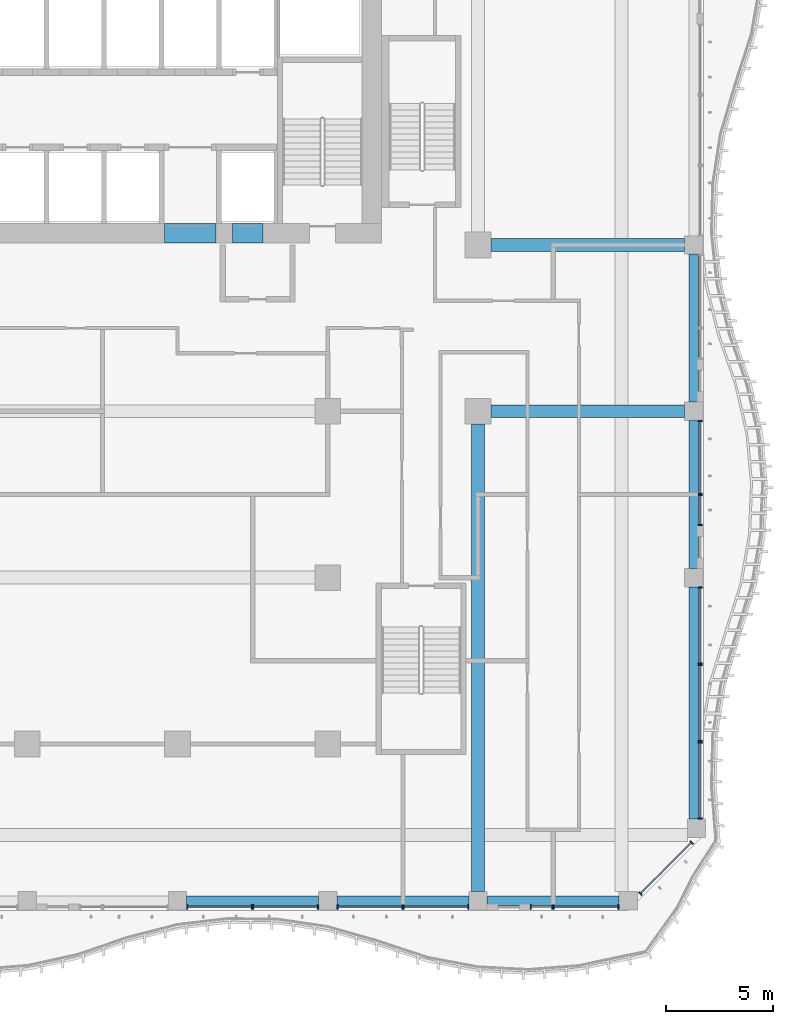
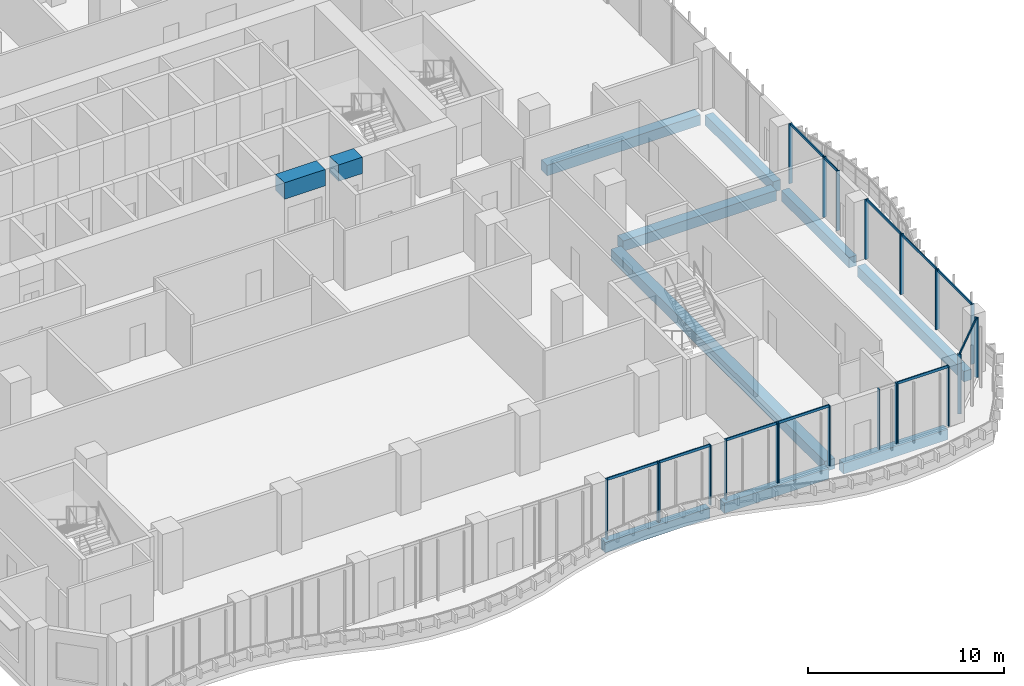
# One storey, part 4 of 25: 35 members, 11 beams, 12 elements without a shape of their own.
"""IFC4 building model written with IfcOpenShell, lengths in metres."""

from ifc_helpers import new_model, si_unit, direction, frame, origin, origin_2d, place, context, subcontext, project, spatial, rectangle, extrude, source, transform, mapped, material, material_profile, profile_set, type_object, element, aggregate, save


model = new_model("IFC4")

# Units and contexts
model_context = context("Model", 3, precision=1e-05, world=origin(), true_north=direction((0.0, 1.0)))
body_context = subcontext(model_context, "Body", "Model", "MODEL_VIEW")
ifc_project = project(units=[si_unit("LENGTHUNIT", "METRE"), si_unit("AREAUNIT", "SQUARE_METRE"), si_unit("VOLUMEUNIT", "CUBIC_METRE"), si_unit("PLANEANGLEUNIT", "RADIAN"), si_unit("MASSUNIT", "GRAM", prefix="KILO")], contexts=[model_context])

# Site, building, storey
site_placement = place(None, origin())
site = spatial("IfcSite", under=ifc_project, at=site_placement, CompositionType="ELEMENT")
building_placement = place(site_placement, origin())
building = spatial("IfcBuilding", under=site, at=building_placement, Name="Kilnfold Tower and Market Hall", CompositionType="ELEMENT")
storey_placement = place(building_placement, frame((0.0, 0.0, 120.60009765625)))
storey = spatial("IfcBuildingStorey", under=building, at=storey_placement, Name="L28", CompositionType="ELEMENT", Elevation=120.60009765625)

# Beams
ifc_material_1 = material(Name="Concrete C70", Category="concrete")
ifc_material_profile_1 = material_profile(ifc_material_1, rectangle(XDim=0.89990234375, YDim=1.02001953125, at=origin_2d()), Name="RC 900x1020")
ifc_profile_set_1 = profile_set([ifc_material_profile_1], Name="Concrete C70")
beam_type_1 = type_object("IfcBeamType", Name="COUPLING BEAM 900X1020 C70", PredefinedType="BEAM", material=ifc_profile_set_1)
shared_shape_1 = source(origin(), body_context, "Body", "SweptSolid", [
    extrude(rectangle(XDim=0.89990234375, YDim=1.02001953125, at=origin_2d()), origin(), (0.0, 0.0, 1.0), 1.39990234375),
])
beam_1_placement = place(storey_placement, frame((11.070068359375, 8.550048828125, 3.2099609375), z_axis=(1.0, 0.0, 0.0), x_axis=(0.0, 1.0, 0.0)))
element("IfcBeam", 1, at=beam_1_placement, inside=storey, type_object=beam_type_1, Name="Coupling beam CB1020-70-CORE.43", PredefinedType="BEAM", context=body_context, shape_type="MappedRepresentation", body=[
    mapped(shared_shape_1, transform((0.0, 0.0, 0.0))),
])
shared_shape_2 = source(origin(), body_context, "Body", "SweptSolid", [
    extrude(rectangle(XDim=0.89990234375, YDim=1.02001953125, at=origin_2d()), origin(), (0.0, 0.0, 1.0), 2.400146484375),
])
beam_2_placement = place(storey_placement, frame((7.889892578125, 8.550048828125, 3.2099609375), z_axis=(1.0, 0.0, 0.0), x_axis=(0.0, 1.0, 0.0)))
element("IfcBeam", 2, at=beam_2_placement, inside=storey, type_object=beam_type_1, Name="Coupling beam CB1020-70-CORE.42", PredefinedType="BEAM", context=body_context, shape_type="MappedRepresentation", body=[
    mapped(shared_shape_2, transform((0.0, 0.0, 0.0))),
])
ifc_material_2 = material(Name="Concrete C45", Category="concrete")
ifc_material_profile_2 = material_profile(ifc_material_2, rectangle(XDim=0.449951171875, YDim=0.64990234375, at=origin_2d()), Name="RC 450x650")
ifc_profile_set_2 = profile_set([ifc_material_profile_2], Name="Concrete C45")
beam_type_2 = type_object("IfcBeamType", Name="EDGE BEAM 450X650 C45", PredefinedType="BEAM", material=ifc_profile_set_2)
shared_shape_3 = source(origin(), body_context, "Body", "SweptSolid", [
    extrude(rectangle(XDim=0.449951171875, YDim=0.64990234375, at=origin_2d()), origin(), (0.0, 0.0, 1.0), 6.14990234375),
])
for number, where, z_axis, x_axis, name in (
    (3, (8.925048828125, -22.550048828125, -0.60498046875), (1.0, 0.0, 0.0), (0.0, 1.0, 0.0), "Beam EB650-B3.56"),
    (4, (15.925048828125, -22.550048828125, -0.60498046875), (1.0, 0.0, 0.0), (0.0, 1.0, 0.0), "Beam EB650-B3.57"),
    (5, (22.925048828125, -22.550048828125, -0.60498046875), (1.0, 0.0, 0.0), (0.0, 1.0, 0.0), "Beam EB650-B3.58"),
):
    element("IfcBeam", number, at=place(storey_placement, frame(where, z_axis=z_axis, x_axis=x_axis)), inside=storey, type_object=beam_type_2, Name=name, PredefinedType="BEAM", context=body_context, shape_type="MappedRepresentation", body=[
        mapped(shared_shape_3, transform((0.0, 0.0, 0.0))),
    ])
ifc_material_3 = material(Name="Concrete C45", Category="concrete")
ifc_material_profile_3 = material_profile(ifc_material_3, rectangle(XDim=0.60009765625, YDim=0.64990234375, at=origin_2d()), Name="RC 600x650")
ifc_profile_set_3 = profile_set([ifc_material_profile_3], Name="Concrete C45")
beam_type_3 = type_object("IfcBeamType", Name="BEAM 600X650 C45", PredefinedType="BEAM", material=ifc_profile_set_3)
shared_shape_4 = source(origin(), body_context, "Body", "SweptSolid", [
    extrude(rectangle(XDim=0.60009765625, YDim=0.64990234375, at=origin_2d()), origin(), (0.0, 0.0, 1.0), 9.02490234375),
])
for number, where, z_axis, x_axis, name in (
    (6, (23.10009765625, 0.25, -0.60498046875), (1.0, 0.0, 0.0), (0.0, 1.0, 0.0), "Beam BB650-B3.63"),
    (7, (23.10009765625, 8.0, -0.60498046875), (1.0, 0.0, 0.0), (0.0, 1.0, 0.0), "Beam BB650-B3.64"),
):
    element("IfcBeam", number, at=place(storey_placement, frame(where, z_axis=z_axis, x_axis=x_axis)), inside=storey, type_object=beam_type_3, Name=name, PredefinedType="BEAM", context=body_context, shape_type="MappedRepresentation", body=[
        mapped(shared_shape_4, transform((0.0, 0.0, 0.0))),
    ])
shared_shape_5 = source(origin(), body_context, "Body", "SweptSolid", [
    extrude(rectangle(XDim=0.449951171875, YDim=0.64990234375, at=origin_2d()), origin(), (0.0, 0.0, 1.0), 6.89990234375),
])
for number, where, z_axis, x_axis, name in (
    (8, (32.550048828125, -7.074951171875, -0.60498046875), (0.0, 1.0, 0.0), (-1.0, 0.0, 0.0), "Beam EB650-B3.84"),
    (9, (32.550048828125, 0.675048828125, -0.60498046875), (0.0, 1.0, 0.0), (-1.0, 0.0, 0.0), "Beam EB650-B3.85"),
):
    element("IfcBeam", number, at=place(storey_placement, frame(where, z_axis=z_axis, x_axis=x_axis)), inside=storey, type_object=beam_type_2, Name=name, PredefinedType="BEAM", context=body_context, shape_type="MappedRepresentation", body=[
        mapped(shared_shape_5, transform((0.0, 0.0, 0.0))),
    ])
shared_shape_6 = source(origin(), body_context, "Body", "SweptSolid", [
    extrude(rectangle(XDim=0.60009765625, YDim=0.64990234375, at=origin_2d()), origin(), (0.0, 0.0, 1.0), 21.77490234375),
])
beam_3_placement = place(storey_placement, frame((22.5, -22.125, -0.60498046875), z_axis=(0.0, 1.0, 0.0), x_axis=(-1.0, 0.0, 0.0)))
element("IfcBeam", 10, at=beam_3_placement, inside=storey, type_object=beam_type_3, Name="Beam BB650-B3.80", PredefinedType="BEAM", context=body_context, shape_type="MappedRepresentation", body=[
    mapped(shared_shape_6, transform((0.0, 0.0, 0.0))),
])
shared_shape_7 = source(origin(), body_context, "Body", "SweptSolid", [
    extrude(rectangle(XDim=0.449951171875, YDim=0.64990234375, at=origin_2d()), origin(), (0.0, 0.0, 1.0), 10.831787109375),
])
beam_4_placement = place(storey_placement, frame((32.550048828125, -18.7568359375, -0.60498046875), z_axis=(0.0, 1.0, 0.0), x_axis=(-1.0, 0.0, 0.0)))
element("IfcBeam", 11, at=beam_4_placement, inside=storey, type_object=beam_type_2, Name="Beam EB650-B3.83", PredefinedType="BEAM", context=body_context, shape_type="MappedRepresentation", body=[
    mapped(shared_shape_7, transform((0.0, 0.0, 0.0))),
])

# Curtain wall, members
ifc_material_4 = material(Name="Aluminium and double glazing", Category="aluminium")
curtain_wall_type = type_object("IfcCurtainWallType", Name="CW OF2 VALLEY GLAZING", PredefinedType="NOTDEFINED", material=ifc_material_4)
curtain_wall_1_placement = place(storey_placement, origin())
curtain_wall_1 = element("IfcCurtainWall", 12, at=curtain_wall_1_placement, inside=storey, type_object=curtain_wall_type, Name="Curtain wall CW2 L28 S", PredefinedType="NOTDEFINED")
ifc_material_5 = material(Name="Aluminium", Category="aluminium")
ifc_material_profile_4 = material_profile(ifc_material_5, rectangle(XDim=0.06005859375, YDim=0.199951171875, at=origin_2d()), Name="MULLION 60x200")
ifc_profile_set_4 = profile_set([ifc_material_profile_4], Name="Aluminium")
member_type_1 = type_object("IfcMemberType", Name="MULLION 60X200", PredefinedType="MULLION", material=ifc_profile_set_4)
shared_shape_8 = source(origin(), body_context, "Body", "SweptSolid", [
    extrude(rectangle(XDim=0.06005859375, YDim=0.199951171875, at=origin_2d()), origin(), (0.0, 0.0, 1.0), 3.719970703125),
])
member_1_placement = place(storey_placement, frame((8.955078125, -22.85009765625, 0.0), z_axis=(0.0, 0.0, 1.0), x_axis=(1.0, 0.0, 0.0)))
member_1 = element("IfcMember", 13, at=member_1_placement, type_object=member_type_1, Name="CW2 mullion 1", PredefinedType="MULLION", context=body_context, shape_type="MappedRepresentation", body=[
    mapped(shared_shape_8, transform((0.0, 0.0, 0.0))),
])
member_2_placement = place(storey_placement, frame((11.969970703125, -22.85009765625, 0.0), z_axis=(0.0, 0.0, 1.0), x_axis=(1.0, 0.0, 0.0)))
member_2 = element("IfcMember", 14, at=member_2_placement, type_object=member_type_1, Name="CW2 mullion 2", PredefinedType="MULLION", context=body_context, shape_type="MappedRepresentation", body=[
    mapped(shared_shape_8, transform((0.0, 0.0, 0.0))),
])

curtain_wall_2_placement = place(storey_placement, origin())
curtain_wall_2 = element("IfcCurtainWall", 15, at=curtain_wall_2_placement, inside=storey, type_object=curtain_wall_type, Name="Curtain wall CW2 L28 S", PredefinedType="NOTDEFINED")
member_3_placement = place(storey_placement, frame((12.030029296875, -22.85009765625, 0.0), z_axis=(0.0, 0.0, 1.0), x_axis=(1.0, 0.0, 0.0)))
member_3 = element("IfcMember", 16, at=member_3_placement, type_object=member_type_1, Name="CW2 mullion 1", PredefinedType="MULLION", context=body_context, shape_type="MappedRepresentation", body=[
    mapped(shared_shape_8, transform((0.0, 0.0, 0.0))),
])
member_4_placement = place(storey_placement, frame((15.044921875, -22.85009765625, 0.0), z_axis=(0.0, 0.0, 1.0), x_axis=(1.0, 0.0, 0.0)))
member_4 = element("IfcMember", 17, at=member_4_placement, type_object=member_type_1, Name="CW2 mullion 2", PredefinedType="MULLION", context=body_context, shape_type="MappedRepresentation", body=[
    mapped(shared_shape_8, transform((0.0, 0.0, 0.0))),
])

curtain_wall_3_placement = place(storey_placement, origin())
curtain_wall_3 = element("IfcCurtainWall", 18, at=curtain_wall_3_placement, inside=storey, type_object=curtain_wall_type, Name="Curtain wall CW2 L28 S", PredefinedType="NOTDEFINED")
member_5_placement = place(storey_placement, frame((15.955078125, -22.85009765625, 0.0), z_axis=(0.0, 0.0, 1.0), x_axis=(1.0, 0.0, 0.0)))
member_5 = element("IfcMember", 19, at=member_5_placement, type_object=member_type_1, Name="CW2 mullion 1", PredefinedType="MULLION", context=body_context, shape_type="MappedRepresentation", body=[
    mapped(shared_shape_8, transform((0.0, 0.0, 0.0))),
])
member_6_placement = place(storey_placement, frame((18.969970703125, -22.85009765625, 0.0), z_axis=(0.0, 0.0, 1.0), x_axis=(1.0, 0.0, 0.0)))
member_6 = element("IfcMember", 20, at=member_6_placement, type_object=member_type_1, Name="CW2 mullion 2", PredefinedType="MULLION", context=body_context, shape_type="MappedRepresentation", body=[
    mapped(shared_shape_8, transform((0.0, 0.0, 0.0))),
])

curtain_wall_4_placement = place(storey_placement, origin())
curtain_wall_4 = element("IfcCurtainWall", 21, at=curtain_wall_4_placement, inside=storey, type_object=curtain_wall_type, Name="Curtain wall CW2 L28 S", PredefinedType="NOTDEFINED")
member_7_placement = place(storey_placement, frame((19.030029296875, -22.85009765625, 0.0), z_axis=(0.0, 0.0, 1.0), x_axis=(1.0, 0.0, 0.0)))
member_7 = element("IfcMember", 22, at=member_7_placement, type_object=member_type_1, Name="CW2 mullion 1", PredefinedType="MULLION", context=body_context, shape_type="MappedRepresentation", body=[
    mapped(shared_shape_8, transform((0.0, 0.0, 0.0))),
])
member_8_placement = place(storey_placement, frame((22.044921875, -22.85009765625, 0.0), z_axis=(0.0, 0.0, 1.0), x_axis=(1.0, 0.0, 0.0)))
member_8 = element("IfcMember", 23, at=member_8_placement, type_object=member_type_1, Name="CW2 mullion 2", PredefinedType="MULLION", context=body_context, shape_type="MappedRepresentation", body=[
    mapped(shared_shape_8, transform((0.0, 0.0, 0.0))),
])

curtain_wall_5_placement = place(storey_placement, origin())
curtain_wall_5 = element("IfcCurtainWall", 24, at=curtain_wall_5_placement, inside=storey, type_object=curtain_wall_type, Name="Curtain wall CW2 L28 S", PredefinedType="NOTDEFINED")
member_9_placement = place(storey_placement, frame((24.955078125, -22.85009765625, 0.0), z_axis=(0.0, 0.0, 1.0), x_axis=(1.0, 0.0, 0.0)))
member_9 = element("IfcMember", 25, at=member_9_placement, type_object=member_type_1, Name="CW2 mullion 1", PredefinedType="MULLION", context=body_context, shape_type="MappedRepresentation", body=[
    mapped(shared_shape_8, transform((0.0, 0.0, 0.0))),
])
member_10_placement = place(storey_placement, frame((25.969970703125, -22.85009765625, 0.0), z_axis=(0.0, 0.0, 1.0), x_axis=(1.0, 0.0, 0.0)))
member_10 = element("IfcMember", 26, at=member_10_placement, type_object=member_type_1, Name="CW2 mullion 2", PredefinedType="MULLION", context=body_context, shape_type="MappedRepresentation", body=[
    mapped(shared_shape_8, transform((0.0, 0.0, 0.0))),
])
aggregate(curtain_wall_5, [member_9, member_10])

curtain_wall_6_placement = place(storey_placement, origin())
curtain_wall_6 = element("IfcCurtainWall", 27, at=curtain_wall_6_placement, inside=storey, type_object=curtain_wall_type, Name="Curtain wall CW2 L28 S", PredefinedType="NOTDEFINED")
member_11_placement = place(storey_placement, frame((26.030029296875, -22.85009765625, 0.0), z_axis=(0.0, 0.0, 1.0), x_axis=(1.0, 0.0, 0.0)))
member_11 = element("IfcMember", 28, at=member_11_placement, type_object=member_type_1, Name="CW2 mullion 1", PredefinedType="MULLION", context=body_context, shape_type="MappedRepresentation", body=[
    mapped(shared_shape_8, transform((0.0, 0.0, 0.0))),
])
member_12_placement = place(storey_placement, frame((29.044921875, -22.85009765625, 0.0), z_axis=(0.0, 0.0, 1.0), x_axis=(1.0, 0.0, 0.0)))
member_12 = element("IfcMember", 29, at=member_12_placement, type_object=member_type_1, Name="CW2 mullion 2", PredefinedType="MULLION", context=body_context, shape_type="MappedRepresentation", body=[
    mapped(shared_shape_8, transform((0.0, 0.0, 0.0))),
])

curtain_wall_7_placement = place(storey_placement, origin())
curtain_wall_7 = element("IfcCurtainWall", 30, at=curtain_wall_7_placement, inside=storey, type_object=curtain_wall_type, Name="Curtain wall CW2 L28 SE", PredefinedType="NOTDEFINED")
member_13_placement = place(storey_placement, frame((30.065185546875, -22.222900390625, 0.0), z_axis=(0.0, 0.0, 1.0), x_axis=(0.707092201815, 0.707121360258, 0.0)))
member_13 = element("IfcMember", 31, at=member_13_placement, type_object=member_type_1, Name="CW2 mullion 1", PredefinedType="MULLION", context=body_context, shape_type="MappedRepresentation", body=[
    mapped(shared_shape_8, transform((0.0, 0.0, 0.0))),
])
member_14_placement = place(storey_placement, frame((32.44775390625, -19.840087890625, 0.0), z_axis=(0.0, 0.0, 1.0), x_axis=(0.707092201815, 0.707121360258, 0.0)))
member_14 = element("IfcMember", 32, at=member_14_placement, type_object=member_type_1, Name="CW2 mullion 2", PredefinedType="MULLION", context=body_context, shape_type="MappedRepresentation", body=[
    mapped(shared_shape_8, transform((0.0, 0.0, 0.0))),
])

curtain_wall_8_placement = place(storey_placement, origin())
curtain_wall_8 = element("IfcCurtainWall", 33, at=curtain_wall_8_placement, inside=storey, type_object=curtain_wall_type, Name="Curtain wall CW2 L28 E", PredefinedType="NOTDEFINED")
member_15_placement = place(storey_placement, frame((32.85009765625, -18.726806640625, 0.0), z_axis=(0.0, 0.0, 1.0), x_axis=(0.0, 1.0, 0.0)))
member_15 = element("IfcMember", 34, at=member_15_placement, type_object=member_type_1, Name="CW2 mullion 1", PredefinedType="MULLION", context=body_context, shape_type="MappedRepresentation", body=[
    mapped(shared_shape_8, transform((0.0, 0.0, 0.0))),
])
member_16_placement = place(storey_placement, frame((32.85009765625, -15.17626953125, 0.0), z_axis=(0.0, 0.0, 1.0), x_axis=(0.0, 1.0, 0.0)))
member_16 = element("IfcMember", 35, at=member_16_placement, type_object=member_type_1, Name="CW2 mullion 2", PredefinedType="MULLION", context=body_context, shape_type="MappedRepresentation", body=[
    mapped(shared_shape_8, transform((0.0, 0.0, 0.0))),
])

curtain_wall_9_placement = place(storey_placement, origin())
curtain_wall_9 = element("IfcCurtainWall", 36, at=curtain_wall_9_placement, inside=storey, type_object=curtain_wall_type, Name="Curtain wall CW2 L28 E", PredefinedType="NOTDEFINED")
member_17_placement = place(storey_placement, frame((32.85009765625, -15.1162109375, 0.0), z_axis=(0.0, 0.0, 1.0), x_axis=(0.0, 1.0, 0.0)))
member_17 = element("IfcMember", 37, at=member_17_placement, type_object=member_type_1, Name="CW2 mullion 1", PredefinedType="MULLION", context=body_context, shape_type="MappedRepresentation", body=[
    mapped(shared_shape_8, transform((0.0, 0.0, 0.0))),
])
member_18_placement = place(storey_placement, frame((32.85009765625, -11.565673828125, 0.0), z_axis=(0.0, 0.0, 1.0), x_axis=(0.0, 1.0, 0.0)))
member_18 = element("IfcMember", 38, at=member_18_placement, type_object=member_type_1, Name="CW2 mullion 2", PredefinedType="MULLION", context=body_context, shape_type="MappedRepresentation", body=[
    mapped(shared_shape_8, transform((0.0, 0.0, 0.0))),
])

curtain_wall_10_placement = place(storey_placement, origin())
curtain_wall_10 = element("IfcCurtainWall", 39, at=curtain_wall_10_placement, inside=storey, type_object=curtain_wall_type, Name="Curtain wall CW2 L28 E", PredefinedType="NOTDEFINED")
member_19_placement = place(storey_placement, frame((32.85009765625, -11.505615234375, 0.0), z_axis=(0.0, 0.0, 1.0), x_axis=(0.0, 1.0, 0.0)))
member_19 = element("IfcMember", 40, at=member_19_placement, type_object=member_type_1, Name="CW2 mullion 1", PredefinedType="MULLION", context=body_context, shape_type="MappedRepresentation", body=[
    mapped(shared_shape_8, transform((0.0, 0.0, 0.0))),
])
member_20_placement = place(storey_placement, frame((32.85009765625, -7.955078125, 0.0), z_axis=(0.0, 0.0, 1.0), x_axis=(0.0, 1.0, 0.0)))
member_20 = element("IfcMember", 41, at=member_20_placement, type_object=member_type_1, Name="CW2 mullion 2", PredefinedType="MULLION", context=body_context, shape_type="MappedRepresentation", body=[
    mapped(shared_shape_8, transform((0.0, 0.0, 0.0))),
])

curtain_wall_11_placement = place(storey_placement, origin())
curtain_wall_11 = element("IfcCurtainWall", 42, at=curtain_wall_11_placement, inside=storey, type_object=curtain_wall_type, Name="Curtain wall CW2 L28 E", PredefinedType="NOTDEFINED")
member_21_placement = place(storey_placement, frame((32.85009765625, -5.044921875, 0.0), z_axis=(0.0, 0.0, 1.0), x_axis=(0.0, 1.0, 0.0)))
member_21 = element("IfcMember", 43, at=member_21_placement, type_object=member_type_1, Name="CW2 mullion 1", PredefinedType="MULLION", context=body_context, shape_type="MappedRepresentation", body=[
    mapped(shared_shape_8, transform((0.0, 0.0, 0.0))),
])
member_22_placement = place(storey_placement, frame((32.85009765625, -3.655029296875, 0.0), z_axis=(0.0, 0.0, 1.0), x_axis=(0.0, 1.0, 0.0)))
member_22 = element("IfcMember", 44, at=member_22_placement, type_object=member_type_1, Name="CW2 mullion 2", PredefinedType="MULLION", context=body_context, shape_type="MappedRepresentation", body=[
    mapped(shared_shape_8, transform((0.0, 0.0, 0.0))),
])

curtain_wall_12_placement = place(storey_placement, origin())
curtain_wall_12 = element("IfcCurtainWall", 45, at=curtain_wall_12_placement, inside=storey, type_object=curtain_wall_type, Name="Curtain wall CW2 L28 E", PredefinedType="NOTDEFINED")
member_23_placement = place(storey_placement, frame((32.85009765625, -3.594970703125, 0.0), z_axis=(0.0, 0.0, 1.0), x_axis=(0.0, 1.0, 0.0)))
member_23 = element("IfcMember", 46, at=member_23_placement, type_object=member_type_1, Name="CW2 mullion 1", PredefinedType="MULLION", context=body_context, shape_type="MappedRepresentation", body=[
    mapped(shared_shape_8, transform((0.0, 0.0, 0.0))),
])
member_24_placement = place(storey_placement, frame((32.85009765625, -0.205078125, 0.0), z_axis=(0.0, 0.0, 1.0), x_axis=(0.0, 1.0, 0.0)))
member_24 = element("IfcMember", 47, at=member_24_placement, type_object=member_type_1, Name="CW2 mullion 2", PredefinedType="MULLION", context=body_context, shape_type="MappedRepresentation", body=[
    mapped(shared_shape_8, transform((0.0, 0.0, 0.0))),
])

# Member
ifc_material_6 = material(Name="Aluminium", Category="aluminium")
ifc_material_profile_5 = material_profile(ifc_material_6, rectangle(XDim=0.06005859375, YDim=0.159912109375, at=origin_2d()), Name="TRANSOM 60x160")
ifc_profile_set_5 = profile_set([ifc_material_profile_5], Name="Aluminium")
member_type_2 = type_object("IfcMemberType", Name="TRANSOM 60X160", PredefinedType="USERDEFINED", material=ifc_profile_set_5)
shared_shape_9 = source(origin(), body_context, "Body", "SweptSolid", [
    extrude(rectangle(XDim=0.06005859375, YDim=0.159912109375, at=origin_2d()), origin(), (0.0, 0.0, 1.0), 2.954833984375),
])
member_25_placement = place(storey_placement, frame((8.985107421875, -22.85009765625, 3.68994140625), z_axis=(1.0, 0.0, 0.0), x_axis=(0.0, 1.0, 0.0)))
member_25 = element("IfcMember", 48, at=member_25_placement, type_object=member_type_2, Name="CW2 transom 1.2", ObjectType="TRANSOM", PredefinedType="USERDEFINED", context=body_context, shape_type="MappedRepresentation", body=[
    mapped(shared_shape_9, transform((0.0, 0.0, 0.0))),
])

aggregate(curtain_wall_1, [member_1, member_2, member_25])

member_26_placement = place(storey_placement, frame((12.06005859375, -22.85009765625, 3.68994140625), z_axis=(1.0, 0.0, 0.0), x_axis=(0.0, 1.0, 0.0)))
member_26 = element("IfcMember", 49, at=member_26_placement, type_object=member_type_2, Name="CW2 transom 1.2", ObjectType="TRANSOM", PredefinedType="USERDEFINED", context=body_context, shape_type="MappedRepresentation", body=[
    mapped(shared_shape_9, transform((0.0, 0.0, 0.0))),
])

aggregate(curtain_wall_2, [member_3, member_4, member_26])

member_27_placement = place(storey_placement, frame((15.985107421875, -22.85009765625, 3.68994140625), z_axis=(1.0, 0.0, 0.0), x_axis=(0.0, 1.0, 0.0)))
member_27 = element("IfcMember", 50, at=member_27_placement, type_object=member_type_2, Name="CW2 transom 1.2", ObjectType="TRANSOM", PredefinedType="USERDEFINED", context=body_context, shape_type="MappedRepresentation", body=[
    mapped(shared_shape_9, transform((0.0, 0.0, 0.0))),
])

aggregate(curtain_wall_3, [member_5, member_6, member_27])

member_28_placement = place(storey_placement, frame((19.06005859375, -22.85009765625, 3.68994140625), z_axis=(1.0, 0.0, 0.0), x_axis=(0.0, 1.0, 0.0)))
member_28 = element("IfcMember", 51, at=member_28_placement, type_object=member_type_2, Name="CW2 transom 1.2", ObjectType="TRANSOM", PredefinedType="USERDEFINED", context=body_context, shape_type="MappedRepresentation", body=[
    mapped(shared_shape_9, transform((0.0, 0.0, 0.0))),
])

aggregate(curtain_wall_4, [member_7, member_8, member_28])

member_29_placement = place(storey_placement, frame((26.06005859375, -22.85009765625, 3.68994140625), z_axis=(1.0, 0.0, 0.0), x_axis=(0.0, 1.0, 0.0)))
member_29 = element("IfcMember", 52, at=member_29_placement, type_object=member_type_2, Name="CW2 transom 1.2", ObjectType="TRANSOM", PredefinedType="USERDEFINED", context=body_context, shape_type="MappedRepresentation", body=[
    mapped(shared_shape_9, transform((0.0, 0.0, 0.0))),
])

aggregate(curtain_wall_6, [member_11, member_12, member_29])

shared_shape_10 = source(origin(), body_context, "Body", "SweptSolid", [
    extrude(rectangle(XDim=0.06005859375, YDim=0.159912109375, at=origin_2d()), origin(), (0.0, 0.0, 1.0), 3.490478515625),
])
member_30_placement = place(storey_placement, frame((32.85009765625, -18.69677734375, 3.68994140625), z_axis=(0.0, 1.0, 0.0), x_axis=(-1.0, 0.0, 0.0)))
member_30 = element("IfcMember", 53, at=member_30_placement, type_object=member_type_2, Name="CW2 transom 1.2", ObjectType="TRANSOM", PredefinedType="USERDEFINED", context=body_context, shape_type="MappedRepresentation", body=[
    mapped(shared_shape_10, transform((0.0, 0.0, 0.0))),
])

aggregate(curtain_wall_8, [member_15, member_16, member_30])

member_31_placement = place(storey_placement, frame((32.85009765625, -15.086181640625, 3.68994140625), z_axis=(0.0, 1.0, 0.0), x_axis=(-1.0, 0.0, 0.0)))
member_31 = element("IfcMember", 54, at=member_31_placement, type_object=member_type_2, Name="CW2 transom 1.2", ObjectType="TRANSOM", PredefinedType="USERDEFINED", context=body_context, shape_type="MappedRepresentation", body=[
    mapped(shared_shape_10, transform((0.0, 0.0, 0.0))),
])

aggregate(curtain_wall_9, [member_17, member_18, member_31])

member_32_placement = place(storey_placement, frame((32.85009765625, -11.4755859375, 3.68994140625), z_axis=(0.0, 1.0, 0.0), x_axis=(-1.0, 0.0, 0.0)))
member_32 = element("IfcMember", 55, at=member_32_placement, type_object=member_type_2, Name="CW2 transom 1.2", ObjectType="TRANSOM", PredefinedType="USERDEFINED", context=body_context, shape_type="MappedRepresentation", body=[
    mapped(shared_shape_10, transform((0.0, 0.0, 0.0))),
])

aggregate(curtain_wall_10, [member_19, member_20, member_32])

shared_shape_11 = source(origin(), body_context, "Body", "SweptSolid", [
    extrude(rectangle(XDim=0.06005859375, YDim=0.159912109375, at=origin_2d()), origin(), (0.0, 0.0, 1.0), 3.329833984375),
])
member_33_placement = place(storey_placement, frame((32.85009765625, -3.56494140625, 3.68994140625), z_axis=(0.0, 1.0, 0.0), x_axis=(-1.0, 0.0, 0.0)))
member_33 = element("IfcMember", 56, at=member_33_placement, type_object=member_type_2, Name="CW2 transom 1.2", ObjectType="TRANSOM", PredefinedType="USERDEFINED", context=body_context, shape_type="MappedRepresentation", body=[
    mapped(shared_shape_11, transform((0.0, 0.0, 0.0))),
])

aggregate(curtain_wall_12, [member_23, member_24, member_33])

shared_shape_12 = source(origin(), body_context, "Body", "SweptSolid", [
    extrude(rectangle(XDim=0.06005859375, YDim=0.159912109375, at=origin_2d()), origin(), (0.0, 0.0, 1.0), 3.3095703125),
])
member_34_placement = place(storey_placement, frame((30.08642578125, -22.20166015625, 3.68994140625), z_axis=(0.707069896036, 0.707143664413, 0.0), x_axis=(-0.707143664413, 0.707069896036, 0.0)))
member_34 = element("IfcMember", 57, at=member_34_placement, type_object=member_type_2, Name="CW2 transom 1.2", ObjectType="TRANSOM", PredefinedType="USERDEFINED", context=body_context, shape_type="MappedRepresentation", body=[
    mapped(shared_shape_12, transform((0.0, 0.0, 0.0))),
])

aggregate(curtain_wall_7, [member_13, member_14, member_34])

shared_shape_13 = source(origin(), body_context, "Body", "SweptSolid", [
    extrude(rectangle(XDim=0.06005859375, YDim=0.159912109375, at=origin_2d()), origin(), (0.0, 0.0, 1.0), 1.329833984375),
])
member_35_placement = place(storey_placement, frame((32.85009765625, -5.014892578125, 3.68994140625), z_axis=(0.0, 1.0, 0.0), x_axis=(-1.0, 0.0, 0.0)))
member_35 = element("IfcMember", 58, at=member_35_placement, type_object=member_type_2, Name="CW2 transom 1.2", ObjectType="TRANSOM", PredefinedType="USERDEFINED", context=body_context, shape_type="MappedRepresentation", body=[
    mapped(shared_shape_13, transform((0.0, 0.0, 0.0))),
])

aggregate(curtain_wall_11, [member_21, member_22, member_35])

save(model, "model.ifc")
